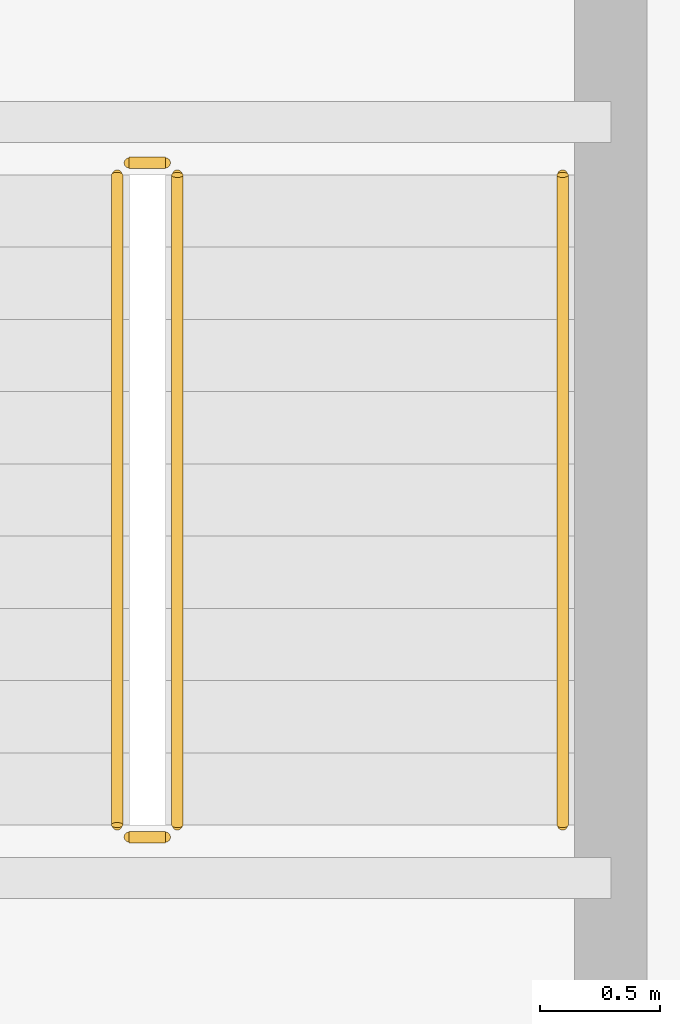
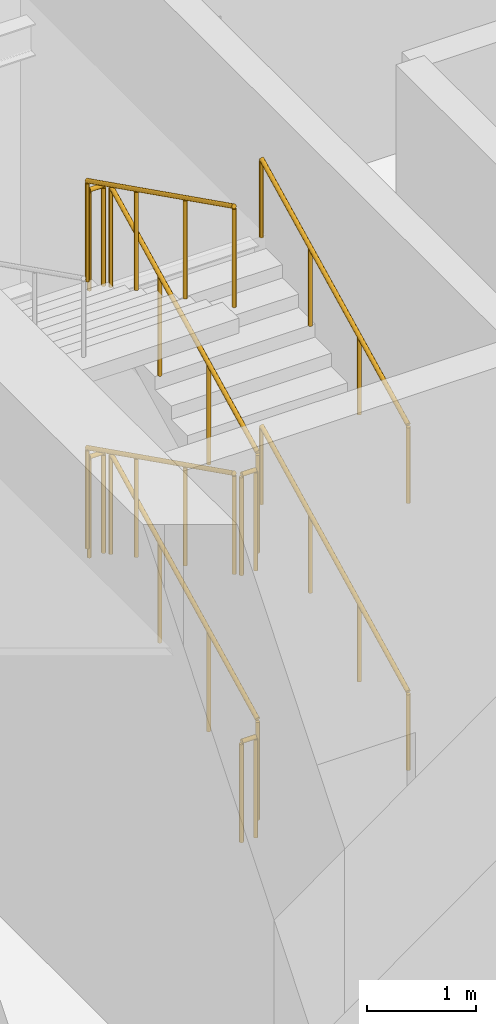
# One storey, part 31 of 38: 10 railings.
"""IFC4 building model written with IfcOpenShell, lengths in metres."""

import ifcopenshell
import ifcopenshell.guid

model = None  # the IFC model being written
_history = None  # IfcOwnerHistory: only IFC2X3 demands one
_inside = {}  # id of a spatial element -> (the spatial element, [elements in it])
_under = {}  # id of a project, library or spatial element -> (it, [spatial elements below it])
_declared = {}  # id of a project -> (the project, [libraries it declares])
_typed = {}  # id of a type object -> (the type object, [elements of that type])
_made_of = {}  # id of a material, layer set ... -> (it, [elements and type objects made of it])


def new_model(schema):
    """Start an empty IFC model of exactly this schema.

    Asked for "IFC4X3", IfcOpenShell would pick the latest addendum, in which some entities
    have other attributes; the version numbers below select the first issue.
    IFC2X3 requires an IfcOwnerHistory on every rooted entity: one is made here for all.
    """
    global model, _history
    if schema == "IFC4X3":
        model = ifcopenshell.file(schema_version=(4, 3, 0, 0))
    else:
        model = ifcopenshell.file(schema=schema)
    _inside.clear()
    _under.clear()
    _declared.clear()
    _typed.clear()
    _made_of.clear()
    _history = None
    if model.schema == "IFC2X3":
        org = make("IfcOrganization", Name="unknown")
        user = make(
            "IfcPersonAndOrganization",
            ThePerson=make("IfcPerson", FamilyName="unknown"),
            TheOrganization=org,
        )
        app = make(
            "IfcApplication",
            ApplicationDeveloper=org,
            Version="unknown",
            ApplicationFullName="unknown",
            ApplicationIdentifier="unknown",
        )
        _history = make(
            "IfcOwnerHistory",
            OwningUser=user,
            OwningApplication=app,
            ChangeAction="ADDED",
            CreationDate=0,
        )
    return model


def make(cls, **values):
    """One entity of the class cls with the attributes given. An attribute that is None is left unset."""
    return model.create_entity(
        cls, **{name: value for name, value in values.items() if value is not None}
    )


def rooted(cls, **values):
    """An entity with a GlobalId (a new one), such as an element, a storey or a relation."""
    return make(cls, GlobalId=ifcopenshell.guid.new(), OwnerHistory=_history, **values)


def si_unit(unit_type, name, prefix=None):
    """IfcSIUnit, for example si_unit("LENGTHUNIT", "METRE", prefix="MILLI")."""
    return make("IfcSIUnit", UnitType=unit_type, Prefix=prefix, Name=name)


def assignment(units):
    """IfcUnitAssignment: the units of a project."""
    return None if units is None else make("IfcUnitAssignment", Units=units)


def point(xyz):
    """IfcCartesianPoint."""
    return None if xyz is None else make("IfcCartesianPoint", Coordinates=xyz)


def direction(xyz):
    """IfcDirection."""
    return None if xyz is None else make("IfcDirection", DirectionRatios=xyz)


def frame(location, z_axis=None, x_axis=None):
    """IfcAxis2Placement3D, a coordinate frame: its origin and axes. An axis left out is left unset."""
    return make(
        "IfcAxis2Placement3D",
        Location=point(location),
        Axis=direction(z_axis),
        RefDirection=direction(x_axis),
    )


def frame_2d(location, x_axis=None):
    """IfcAxis2Placement2D, a coordinate frame in the plane: its origin and x axis."""
    return make(
        "IfcAxis2Placement2D", Location=point(location), RefDirection=direction(x_axis)
    )


def origin():
    """The frame at (0, 0, 0) with its axes left unset."""
    return frame((0.0, 0.0, 0.0))


def origin_2d():
    """The frame at (0, 0) in the plane with its x axis left unset."""
    return frame_2d((0.0, 0.0))


def place(relative_to, where):
    """IfcLocalPlacement: puts the frame where relative to a parent placement (None: the world)."""
    return make(
        "IfcLocalPlacement", PlacementRelTo=relative_to, RelativePlacement=where
    )


def context(
    kind, dimensions, precision=None, world=None, true_north=None, identifier=None
):
    """IfcGeometricRepresentationContext, for example the 3D "Model" context."""
    return make(
        "IfcGeometricRepresentationContext",
        ContextIdentifier=identifier,
        ContextType=kind,
        CoordinateSpaceDimension=dimensions,
        Precision=precision,
        WorldCoordinateSystem=world,
        TrueNorth=true_north,
    )


def subcontext(parent, identifier, kind, view, scale=None):
    """IfcGeometricRepresentationSubContext, for example "Body" below "Model"."""
    return make(
        "IfcGeometricRepresentationSubContext",
        ContextIdentifier=identifier,
        ContextType=kind,
        ParentContext=parent,
        TargetScale=scale,
        TargetView=view,
    )


def project(units=None, contexts=None):
    """IfcProject with its units and contexts."""
    return rooted(
        "IfcProject",
        Name="project",
        RepresentationContexts=contexts,
        UnitsInContext=assignment(units),
    )


def spatial(cls, under=None, at=None, **own):
    """A site, building, storey or space (cls), placed at a placement, below another one or the project."""
    s = rooted(cls, ObjectPlacement=at, **own)
    if under is not None:
        _under.setdefault(under.id(), (under, []))[1].append(s)
    return s


def profile(cls, at=None, kind="AREA", **sizes):
    """A parametric profile (cls). Its sizes go by their IFC names, for example OverallWidth=200.0."""
    return make(cls, ProfileType=kind, Position=at, **sizes)


def circle(**sizes):
    """IfcCircleProfileDef."""
    return profile("IfcCircleProfileDef", **sizes)


def extrude(swept, where, along, depth):
    """IfcExtrudedAreaSolid: the profile swept, set in the frame where, extruded along a direction by depth."""
    return make(
        "IfcExtrudedAreaSolid",
        SweptArea=swept,
        Position=where,
        ExtrudedDirection=direction(along),
        Depth=depth,
    )


def shape(context_of_items, identifier, shape_type, items):
    """IfcShapeRepresentation: the items that make up one representation, for example the "Body"."""
    return make(
        "IfcShapeRepresentation",
        ContextOfItems=context_of_items,
        RepresentationIdentifier=identifier,
        RepresentationType=shape_type,
        Items=items,
    )


def material(Name=None, Category=None):
    """IfcMaterial."""
    return make("IfcMaterial", Name=Name, Category=Category)


def made_of(thing, what):
    """Note that an element or type object is made of a material, layer set ...; save() writes the relation."""
    if what is not None:
        _made_of.setdefault(what.id(), (what, []))[1].append(thing)
    return thing


def type_object(cls, material=None, **own):
    """A type object (cls), such as IfcWallType, which elements share."""
    return made_of(rooted(cls, **own), material)


def element(
    cls,
    number,
    at=None,
    inside=None,
    cuts=None,
    type_object=None,
    material=None,
    context=None,
    identifier="Body",
    shape_type=None,
    held_by="IfcProductDefinitionShape",
    body=None,
    shapes=None,
    **own,
):
    """One element of the class cls, such as IfcWall. Its Tag is "e" and its number.

    at: its placement. inside: the storey or other place that contains it. cuts: it is an
    opening in that element (IfcRelVoidsElement). A single representation is given by context,
    identifier, shape_type and body (its items); several are given by shapes. held_by: the class
    of the entity that holds the representations. save() writes the other relations.
    """
    e = rooted(cls, Tag="e%d" % number, ObjectPlacement=at, **own)
    if body is not None:
        shapes = [shape(context, identifier, shape_type, body)]
    if shapes is not None:
        e.Representation = make(held_by, Representations=shapes)
    if inside is not None:
        _inside.setdefault(inside.id(), (inside, []))[1].append(e)
    if cuts is not None:
        rooted(
            "IfcRelVoidsElement", RelatingBuildingElement=cuts, RelatedOpeningElement=e
        )
    if type_object is not None:
        _typed.setdefault(type_object.id(), (type_object, []))[1].append(e)
    return made_of(e, material)


def aggregate(whole, parts):
    """IfcRelAggregates: a whole, such as a stair, and the parts it consists of."""
    return rooted("IfcRelAggregates", RelatingObject=whole, RelatedObjects=parts)


def save(model, path):
    """Write the relations noted so far, then the file.

    IfcRelAggregates (storeys below a building ...), IfcRelContainedInSpatialStructure (elements
    in a storey), IfcRelDefinesByType, IfcRelAssociatesMaterial and IfcRelDeclares: one each for
    every whole, place, type object, material and project.
    """
    for whole, parts in _under.values():
        aggregate(whole, parts)
    for where, things in _inside.values():
        rooted(
            "IfcRelContainedInSpatialStructure",
            RelatedElements=things,
            RelatingStructure=where,
        )
    for kind, things in _typed.values():
        rooted("IfcRelDefinesByType", RelatedObjects=things, RelatingType=kind)
    for what, things in _made_of.values():
        rooted("IfcRelAssociatesMaterial", RelatedObjects=things, RelatingMaterial=what)
    for by, libraries in _declared.values():
        rooted("IfcRelDeclares", RelatingContext=by, RelatedDefinitions=libraries)
    model.write(path)


model = new_model("IFC4")

# Units and contexts
model_context = context("Model", 3, precision=1e-05, world=origin(), true_north=direction((0.0, 1.0)))
body_context = subcontext(model_context, "Body", "Model", "MODEL_VIEW")
ifc_project = project(units=[si_unit("LENGTHUNIT", "METRE"), si_unit("AREAUNIT", "SQUARE_METRE"), si_unit("VOLUMEUNIT", "CUBIC_METRE"), si_unit("PLANEANGLEUNIT", "RADIAN"), si_unit("MASSUNIT", "GRAM", prefix="KILO")], contexts=[model_context])

# Site, building, storey
site_placement = place(None, origin())
site = spatial("IfcSite", under=ifc_project, at=site_placement, CompositionType="ELEMENT")
building_placement = place(site_placement, origin())
building = spatial("IfcBuilding", under=site, at=building_placement, Name="Punatoya Terracotta Tower", CompositionType="ELEMENT")
storey_placement = place(building_placement, frame((0.0, 0.0, 22.199951171875)))
storey = spatial("IfcBuildingStorey", under=building, at=storey_placement, Name="L04", CompositionType="ELEMENT", Elevation=22.199951171875)

# Railings
ifc_material = material(Name="Steel S355", Category="steel")
railing_type_1 = type_object("IfcRailingType", Name="RLG-GRD-1150", PredefinedType="GUARDRAIL", material=ifc_material)
railing_1_placement = place(storey_placement, frame((-7.85009765625, -3.800048828125, 0.150146484375)))
element("IfcRailing", 1, at=railing_1_placement, inside=storey, type_object=railing_type_1, Name="L04 ST-1 stair guard 1", PredefinedType="GUARDRAIL", context=body_context, shape_type="SweptSolid", body=[
    extrude(circle(Radius=0.02392578125, at=origin_2d()), frame((0.0, 0.0, 1.1259765625), z_axis=(0.0, 0.89444336626, 0.447181243517), x_axis=(-1.0, 0.0, 0.0)), (0.0, 0.0, 1.0), 3.0185546875),
    extrude(circle(Radius=0.02099609375, at=origin_2d()), origin(), (0.0, 0.0, 1.0), 1.101806640625),
    extrude(circle(Radius=0.02099609375, at=origin_2d()), frame((0.0, 0.89990234375, 0.449951171875)), (0.0, 0.0, 1.0), 1.101806640625),
    extrude(circle(Radius=0.02099609375, at=origin_2d()), frame((0.0, 1.800048828125, 0.89990234375)), (0.0, 0.0, 1.0), 1.101806640625),
    extrude(circle(Radius=0.02099609375, at=origin_2d()), frame((0.0, 2.699951171875, 1.349853515625)), (0.0, 0.0, 1.0), 1.101806640625),
])
railing_2_placement = place(storey_placement, frame((-7.89990234375, -1.050048828125, 1.5)))
element("IfcRailing", 2, at=railing_2_placement, inside=storey, type_object=railing_type_1, Name="L04 ST-1 stair guard 2", PredefinedType="GUARDRAIL", context=body_context, shape_type="SweptSolid", body=[
    extrude(circle(Radius=0.02392578125, at=origin_2d()), frame((0.0, 0.0, 1.1259765625), z_axis=(-1.0, 0.0, 0.0), x_axis=(0.0, -1.0, 0.0)), (0.0, 0.0, 1.0), 0.150146484375),
    extrude(circle(Radius=0.02099609375, at=origin_2d()), origin(), (0.0, 0.0, 1.0), 1.101806640625),
    extrude(circle(Radius=0.02099609375, at=origin_2d()), frame((-0.150146484375, 0.0, 0.0)), (0.0, 0.0, 1.0), 1.101806640625),
])
railing_3_placement = place(storey_placement, frame((-8.10009765625, -1.10009765625, 1.650146484375)))
element("IfcRailing", 3, at=railing_3_placement, inside=storey, type_object=railing_type_1, Name="L04 ST-1 stair guard 3", PredefinedType="GUARDRAIL", context=body_context, shape_type="SweptSolid", body=[
    extrude(circle(Radius=0.02392578125, at=origin_2d()), frame((0.0, 0.0, 1.1259765625), z_axis=(0.0, -0.89444336626, 0.447181243517), x_axis=(1.0, 0.0, 0.0)), (0.0, 0.0, 1.0), 3.0185546875),
    extrude(circle(Radius=0.02099609375, at=origin_2d()), origin(), (0.0, 0.0, 1.0), 1.101806640625),
    extrude(circle(Radius=0.02099609375, at=origin_2d()), frame((0.0, -0.89990234375, 0.449951171875)), (0.0, 0.0, 1.0), 1.101806640625),
    extrude(circle(Radius=0.02099609375, at=origin_2d()), frame((0.0, -1.800048828125, 0.89990234375)), (0.0, 0.0, 1.0), 1.101806640625),
    extrude(circle(Radius=0.02099609375, at=origin_2d()), frame((0.0, -2.699951171875, 1.349853515625)), (0.0, 0.0, 1.0), 1.101806640625),
])
railing_4_placement = place(storey_placement, frame((-7.89990234375, -3.85009765625, 3.0)))
element("IfcRailing", 4, at=railing_4_placement, inside=storey, type_object=railing_type_1, Name="L04 ST-1 stair guard 4", PredefinedType="GUARDRAIL", context=body_context, shape_type="SweptSolid", body=[
    extrude(circle(Radius=0.02392578125, at=origin_2d()), frame((0.0, 0.0, 1.1259765625), z_axis=(-1.0, 0.0, 0.0), x_axis=(0.0, -1.0, 0.0)), (0.0, 0.0, 1.0), 0.150146484375),
    extrude(circle(Radius=0.02099609375, at=origin_2d()), origin(), (0.0, 0.0, 1.0), 1.101806640625),
    extrude(circle(Radius=0.02099609375, at=origin_2d()), frame((-0.150146484375, 0.0, 0.0)), (0.0, 0.0, 1.0), 1.101806640625),
])
railing_5_placement = place(storey_placement, frame((-7.85009765625, -3.800048828125, 3.150146484375)))
element("IfcRailing", 5, at=railing_5_placement, inside=storey, type_object=railing_type_1, Name="L04 ST-1 stair guard 5", PredefinedType="GUARDRAIL", context=body_context, shape_type="SweptSolid", body=[
    extrude(circle(Radius=0.02392578125, at=origin_2d()), frame((0.0, 0.0, 1.1259765625), z_axis=(0.0, 0.89444336626, 0.447181243517), x_axis=(-1.0, 0.0, 0.0)), (0.0, 0.0, 1.0), 3.0185546875),
    extrude(circle(Radius=0.02099609375, at=origin_2d()), origin(), (0.0, 0.0, 1.0), 1.101806640625),
    extrude(circle(Radius=0.02099609375, at=origin_2d()), frame((0.0, 0.89990234375, 0.449951171875)), (0.0, 0.0, 1.0), 1.101806640625),
    extrude(circle(Radius=0.02099609375, at=origin_2d()), frame((0.0, 1.800048828125, 0.89990234375)), (0.0, 0.0, 1.0), 1.101806640625),
    extrude(circle(Radius=0.02099609375, at=origin_2d()), frame((0.0, 2.699951171875, 1.349853515625)), (0.0, 0.0, 1.0), 1.101806640625),
])
railing_6_placement = place(storey_placement, frame((-7.89990234375, -1.050048828125, 4.5)))
element("IfcRailing", 6, at=railing_6_placement, inside=storey, type_object=railing_type_1, Name="L04 ST-1 stair guard 6", PredefinedType="GUARDRAIL", context=body_context, shape_type="SweptSolid", body=[
    extrude(circle(Radius=0.02392578125, at=origin_2d()), frame((0.0, 0.0, 1.1259765625), z_axis=(-1.0, 0.0, 0.0), x_axis=(0.0, -1.0, 0.0)), (0.0, 0.0, 1.0), 0.150146484375),
    extrude(circle(Radius=0.02099609375, at=origin_2d()), origin(), (0.0, 0.0, 1.0), 1.101806640625),
    extrude(circle(Radius=0.02099609375, at=origin_2d()), frame((-0.150146484375, 0.0, 0.0)), (0.0, 0.0, 1.0), 1.101806640625),
])
railing_7_placement = place(storey_placement, frame((-8.10009765625, -1.10009765625, 4.650146484375)))
element("IfcRailing", 7, at=railing_7_placement, inside=storey, type_object=railing_type_1, Name="L04 ST-1 stair guard 7", PredefinedType="GUARDRAIL", context=body_context, shape_type="SweptSolid", body=[
    extrude(circle(Radius=0.02392578125, at=origin_2d()), frame((0.0, 0.0, 1.1259765625), z_axis=(0.0, -0.89444336626, 0.447181243517), x_axis=(1.0, 0.0, 0.0)), (0.0, 0.0, 1.0), 3.0185546875),
    extrude(circle(Radius=0.02099609375, at=origin_2d()), origin(), (0.0, 0.0, 1.0), 1.101806640625),
    extrude(circle(Radius=0.02099609375, at=origin_2d()), frame((0.0, -0.89990234375, 0.449951171875)), (0.0, 0.0, 1.0), 1.101806640625),
    extrude(circle(Radius=0.02099609375, at=origin_2d()), frame((0.0, -1.800048828125, 0.89990234375)), (0.0, 0.0, 1.0), 1.101806640625),
    extrude(circle(Radius=0.02099609375, at=origin_2d()), frame((0.0, -2.699951171875, 1.349853515625)), (0.0, 0.0, 1.0), 1.101806640625),
])
railing_8_placement = place(storey_placement, frame((-7.89990234375, -3.85009765625, 0.0)))
element("IfcRailing", 8, at=railing_8_placement, inside=storey, type_object=railing_type_1, Name="L04 ST-1 stair guard 8", PredefinedType="GUARDRAIL", context=body_context, shape_type="SweptSolid", body=[
    extrude(circle(Radius=0.02392578125, at=origin_2d()), frame((0.0, 0.0, 1.1259765625), z_axis=(-1.0, 0.0, 0.0), x_axis=(0.0, -1.0, 0.0)), (0.0, 0.0, 1.0), 0.150146484375),
    extrude(circle(Radius=0.02099609375, at=origin_2d()), origin(), (0.0, 0.0, 1.0), 1.101806640625),
    extrude(circle(Radius=0.02099609375, at=origin_2d()), frame((-0.150146484375, 0.0, 0.0)), (0.0, 0.0, 1.0), 1.101806640625),
])
railing_type_2 = type_object("IfcRailingType", Name="RLG-HND-900", PredefinedType="HANDRAIL", material=ifc_material)
for number, where, name in (
    (9, (-6.25, -3.800048828125, 0.150146484375), "L04 ST-1 stair handrail 1"),
    (10, (-6.25, -3.800048828125, 3.150146484375), "L04 ST-1 stair handrail 3"),
):
    element("IfcRailing", number, at=place(storey_placement, frame(where)), inside=storey, type_object=railing_type_2, Name=name, PredefinedType="HANDRAIL", context=body_context, shape_type="SweptSolid", body=[
        extrude(circle(Radius=0.02392578125, at=origin_2d()), frame((0.0, 0.0, 0.8759765625), z_axis=(0.0, 0.89444336626, 0.447181243517), x_axis=(-1.0, 0.0, 0.0)), (0.0, 0.0, 1.0), 3.0185546875),
        extrude(circle(Radius=0.02099609375, at=origin_2d()), origin(), (0.0, 0.0, 1.0), 0.851806640625),
        extrude(circle(Radius=0.02099609375, at=origin_2d()), frame((0.0, 0.89990234375, 0.449951171875)), (0.0, 0.0, 1.0), 0.851806640625),
        extrude(circle(Radius=0.02099609375, at=origin_2d()), frame((0.0, 1.800048828125, 0.89990234375)), (0.0, 0.0, 1.0), 0.851806640625),
        extrude(circle(Radius=0.02099609375, at=origin_2d()), frame((0.0, 2.699951171875, 1.349853515625)), (0.0, 0.0, 1.0), 0.851806640625),
    ])

save(model, "model.ifc")
